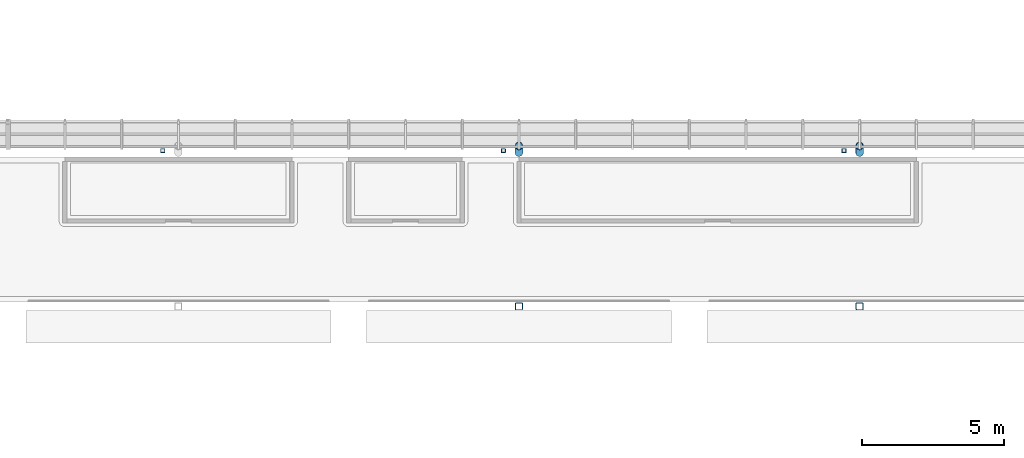
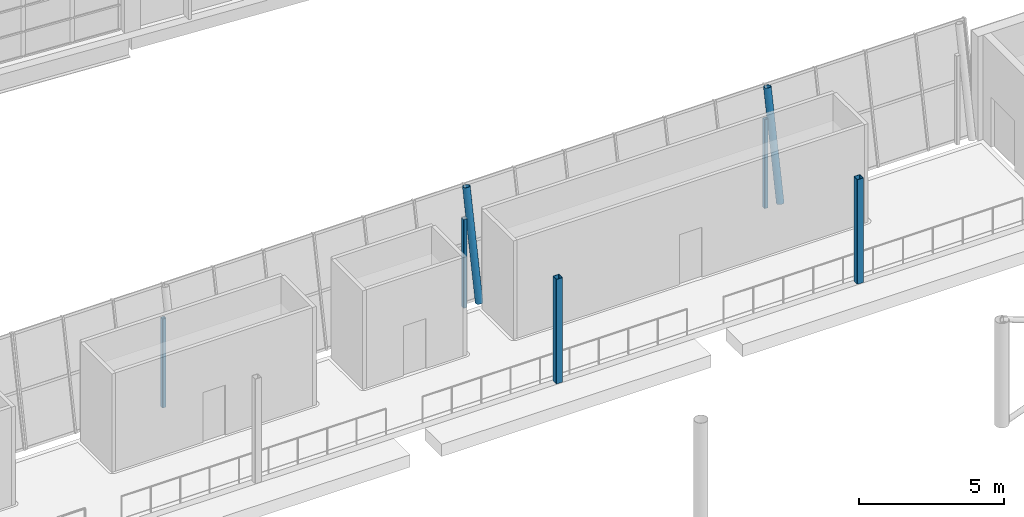
# One storey, part 17 of 115: 7 columns.
"""IFC4 building model written with IfcOpenShell, lengths in metres."""

from ifc_helpers import new_model, si_unit, direction, frame, origin, origin_2d, place, context, subcontext, project, spatial, hollow_rectangle, hollow_circle, extrude, material, material_profile, profile_set, type_object, element, save


model = new_model("IFC4")

# Units and contexts
model_context = context("Model", 3, precision=1e-05, world=origin(), true_north=direction((0.0, 1.0)))
body_context = subcontext(model_context, "Body", "Model", "MODEL_VIEW")
ifc_project = project(units=[si_unit("LENGTHUNIT", "METRE"), si_unit("AREAUNIT", "SQUARE_METRE"), si_unit("VOLUMEUNIT", "CUBIC_METRE"), si_unit("PLANEANGLEUNIT", "RADIAN"), si_unit("MASSUNIT", "GRAM", prefix="KILO")], contexts=[model_context])

# Site, building, storey
site_placement = place(None, origin())
site = spatial("IfcSite", under=ifc_project, at=site_placement, CompositionType="ELEMENT")
building_placement = place(site_placement, origin())
building = spatial("IfcBuilding", under=site, at=building_placement, Name="Windward Yard Aquatics Centre", CompositionType="ELEMENT")
storey_placement = place(building_placement, frame((0.0, 0.0, 5.0)))
storey = spatial("IfcBuildingStorey", under=building, at=storey_placement, Name="L01", CompositionType="ELEMENT", Elevation=5.0)

# Columns
ifc_material = material(Name="Steel ASTM A500 Gr C", Category="steel")
ifc_material_profile_1 = material_profile(ifc_material, hollow_rectangle(XDim=0.15234375, YDim=0.15234375, WallThickness=0.0126953125, InnerFilletRadius=0.00634765625, OuterFilletRadius=0.01904296875, at=origin_2d()), Name="HSS152X152X12.7")
ifc_profile_set_1 = profile_set([ifc_material_profile_1], Name="Steel ASTM A500 Gr C")
column_type_1 = type_object("IfcColumnType", Name="H gallery column HSS152X152X12.7", PredefinedType="COLUMN", material=ifc_profile_set_1)
for number, where, z_axis, x_axis, name in (
    (1, (107.449951171875, 95.77490234375, 0.0), (0.0, 0.0, 1.0), (1.0, 0.0, 0.0), "H.GC.N5.L01"),
    (2, (119.449951171875, 95.77490234375, 0.0), (0.0, 0.0, 1.0), (1.0, 0.0, 0.0), "H.GC.N6.L01"),
    (3, (131.449951171875, 95.77490234375, 0.0), (0.0, 0.0, 1.0), (1.0, 0.0, 0.0), "H.GC.N7.L01"),
):
    element("IfcColumn", number, at=place(storey_placement, frame(where, z_axis=z_axis, x_axis=x_axis)), inside=storey, type_object=column_type_1, Name=name, PredefinedType="COLUMN", context=body_context, shape_type="SweptSolid", body=[
        extrude(hollow_rectangle(XDim=0.15234375, YDim=0.15234375, WallThickness=0.0126953125, InnerFilletRadius=0.00634765625, OuterFilletRadius=0.01904296875, at=origin_2d()), origin(), (0.0, 0.0, 1.0), 3.742919921875),
    ])
ifc_material_profile_2 = material_profile(ifc_material, hollow_rectangle(XDim=0.25390625, YDim=0.25390625, WallThickness=0.015869140625, InnerFilletRadius=0.008056640625, OuterFilletRadius=0.02392578125, at=origin_2d()), Name="HSS254X254X15.9")
ifc_profile_set_2 = profile_set([ifc_material_profile_2], Name="Steel ASTM A500 Gr C")
column_type_2 = type_object("IfcColumnType", Name="H inner column HSS254X254X15.9", PredefinedType="COLUMN", material=ifc_profile_set_2)
for number, where, z_axis, x_axis, name in (
    (4, (120.0, 90.290283203125, 0.0), (0.0, 0.0, 1.0), (1.0, 0.0, 0.0), "H.IC.N6.L01"),
    (5, (132.0, 90.290283203125, 0.0), (0.0, 0.0, 1.0), (1.0, 0.0, 0.0), "H.IC.N7.L01"),
):
    element("IfcColumn", number, at=place(storey_placement, frame(where, z_axis=z_axis, x_axis=x_axis)), inside=storey, type_object=column_type_2, Name=name, PredefinedType="COLUMN", context=body_context, shape_type="SweptSolid", body=[
        extrude(hollow_rectangle(XDim=0.25390625, YDim=0.25390625, WallThickness=0.015869140625, InnerFilletRadius=0.008056640625, OuterFilletRadius=0.02392578125, at=origin_2d()), origin(), (0.0, 0.0, 1.0), 4.39990234375),
    ])
ifc_material_profile_3 = material_profile(ifc_material, hollow_circle(Radius=0.136474609375, WallThickness=0.0126953125, at=origin_2d()), Name="HSS273.1X12.7")
ifc_profile_set_3 = profile_set([ifc_material_profile_3], Name="Steel ASTM A500 Gr C")
column_type_3 = type_object("IfcColumnType", Name="H tier 1 leg HSS273.1X12.7", PredefinedType="COLUMN", material=ifc_profile_set_3)
for number, where, z_axis, x_axis, name in (
    (6, (120.0, 95.70556640625, 0.02734375), (0.0, 0.19937683017, 0.979922894717), (-1.0, 0.0, 0.0), "H.TL.N6.T1A.L01"),
    (7, (132.0, 95.70556640625, 0.02734375), (0.0, 0.19937683017, 0.979922894717), (-1.0, 0.0, 0.0), "H.TL.N7.T1A.L01"),
):
    element("IfcColumn", number, at=place(storey_placement, frame(where, z_axis=z_axis, x_axis=x_axis)), inside=storey, type_object=column_type_3, Name=name, PredefinedType="COLUMN", context=body_context, shape_type="SweptSolid", body=[
        extrude(hollow_circle(Radius=0.136474609375, WallThickness=0.0126953125, at=origin_2d()), origin(), (0.0, 0.0, 1.0), 4.462158203125),
    ])

save(model, "model.ifc")
